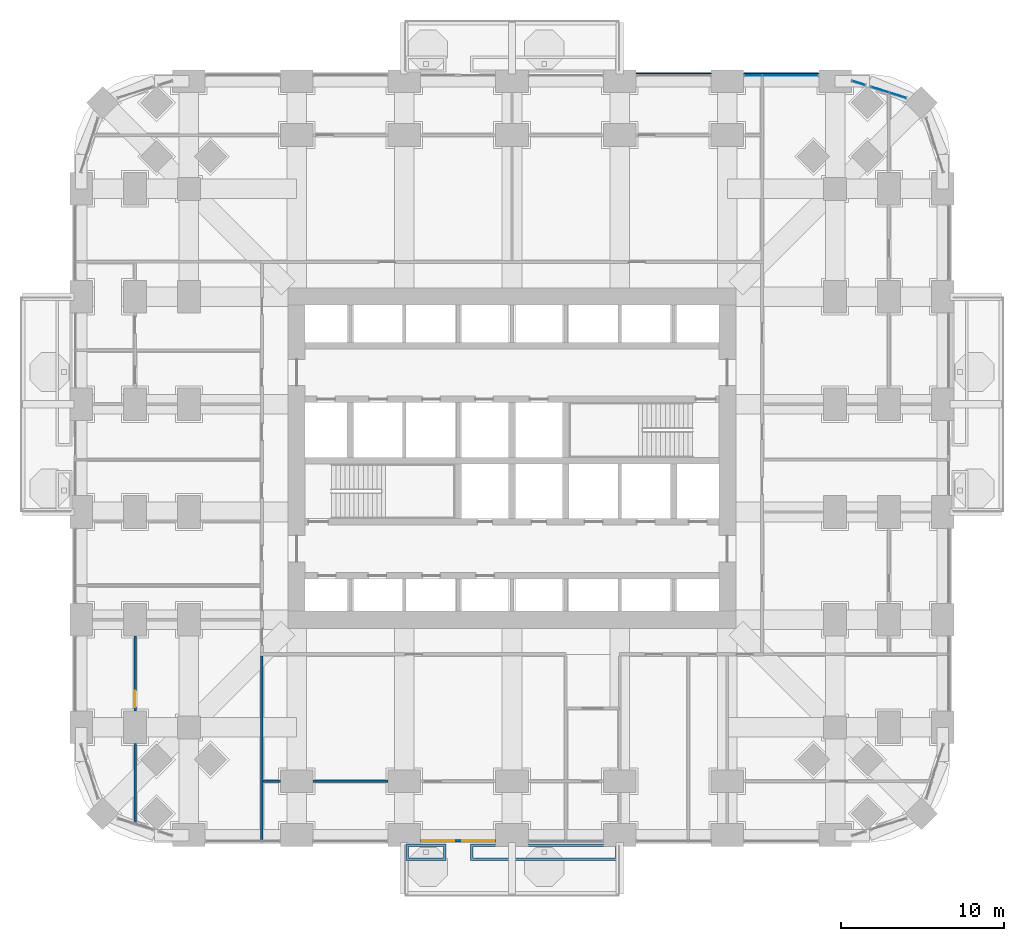
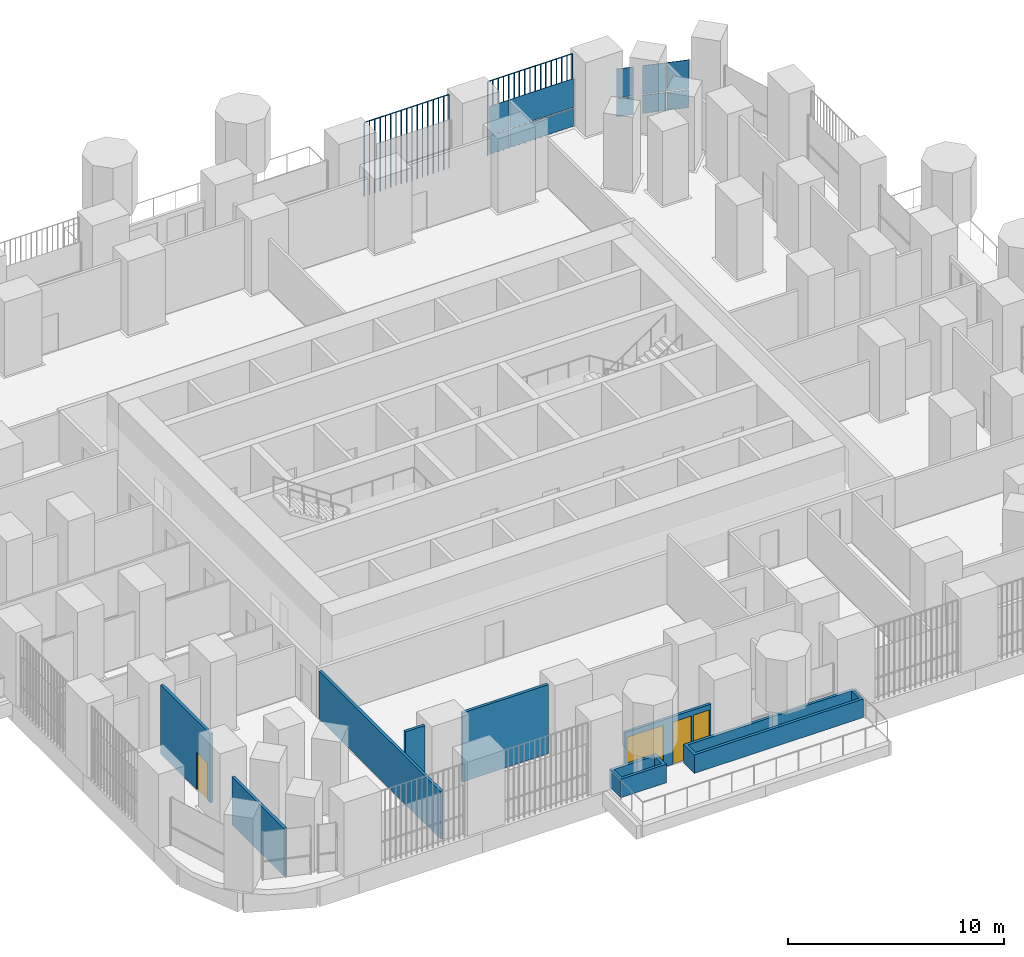
# One storey, part 15 of 24: 12 plates, 8 walls, 2 doors, 2 windows, 4 openings, 3 elements without a shape of their own.
"""IFC4 building model written with IfcOpenShell, lengths in metres."""

import ifcopenshell
import ifcopenshell.guid

model = None  # the IFC model being written
_history = None  # IfcOwnerHistory: only IFC2X3 demands one
_inside = {}  # id of a spatial element -> (the spatial element, [elements in it])
_under = {}  # id of a project, library or spatial element -> (it, [spatial elements below it])
_declared = {}  # id of a project -> (the project, [libraries it declares])
_typed = {}  # id of a type object -> (the type object, [elements of that type])
_made_of = {}  # id of a material, layer set ... -> (it, [elements and type objects made of it])


def new_model(schema):
    """Start an empty IFC model of exactly this schema.

    Asked for "IFC4X3", IfcOpenShell would pick the latest addendum, in which some entities
    have other attributes; the version numbers below select the first issue.
    IFC2X3 requires an IfcOwnerHistory on every rooted entity: one is made here for all.
    """
    global model, _history
    if schema == "IFC4X3":
        model = ifcopenshell.file(schema_version=(4, 3, 0, 0))
    else:
        model = ifcopenshell.file(schema=schema)
    _inside.clear()
    _under.clear()
    _declared.clear()
    _typed.clear()
    _made_of.clear()
    _history = None
    if model.schema == "IFC2X3":
        org = make("IfcOrganization", Name="unknown")
        user = make(
            "IfcPersonAndOrganization",
            ThePerson=make("IfcPerson", FamilyName="unknown"),
            TheOrganization=org,
        )
        app = make(
            "IfcApplication",
            ApplicationDeveloper=org,
            Version="unknown",
            ApplicationFullName="unknown",
            ApplicationIdentifier="unknown",
        )
        _history = make(
            "IfcOwnerHistory",
            OwningUser=user,
            OwningApplication=app,
            ChangeAction="ADDED",
            CreationDate=0,
        )
    return model


def make(cls, **values):
    """One entity of the class cls with the attributes given. An attribute that is None is left unset."""
    return model.create_entity(
        cls, **{name: value for name, value in values.items() if value is not None}
    )


def rooted(cls, **values):
    """An entity with a GlobalId (a new one), such as an element, a storey or a relation."""
    return make(cls, GlobalId=ifcopenshell.guid.new(), OwnerHistory=_history, **values)


def si_unit(unit_type, name, prefix=None):
    """IfcSIUnit, for example si_unit("LENGTHUNIT", "METRE", prefix="MILLI")."""
    return make("IfcSIUnit", UnitType=unit_type, Prefix=prefix, Name=name)


def assignment(units):
    """IfcUnitAssignment: the units of a project."""
    return None if units is None else make("IfcUnitAssignment", Units=units)


def point(xyz):
    """IfcCartesianPoint."""
    return None if xyz is None else make("IfcCartesianPoint", Coordinates=xyz)


def direction(xyz):
    """IfcDirection."""
    return None if xyz is None else make("IfcDirection", DirectionRatios=xyz)


def frame(location, z_axis=None, x_axis=None):
    """IfcAxis2Placement3D, a coordinate frame: its origin and axes. An axis left out is left unset."""
    return make(
        "IfcAxis2Placement3D",
        Location=point(location),
        Axis=direction(z_axis),
        RefDirection=direction(x_axis),
    )


def frame_2d(location, x_axis=None):
    """IfcAxis2Placement2D, a coordinate frame in the plane: its origin and x axis."""
    return make(
        "IfcAxis2Placement2D", Location=point(location), RefDirection=direction(x_axis)
    )


def origin():
    """The frame at (0, 0, 0) with its axes left unset."""
    return frame((0.0, 0.0, 0.0))


def origin_2d():
    """The frame at (0, 0) in the plane with its x axis left unset."""
    return frame_2d((0.0, 0.0))


def place(relative_to, where):
    """IfcLocalPlacement: puts the frame where relative to a parent placement (None: the world)."""
    return make(
        "IfcLocalPlacement", PlacementRelTo=relative_to, RelativePlacement=where
    )


def context(
    kind, dimensions, precision=None, world=None, true_north=None, identifier=None
):
    """IfcGeometricRepresentationContext, for example the 3D "Model" context."""
    return make(
        "IfcGeometricRepresentationContext",
        ContextIdentifier=identifier,
        ContextType=kind,
        CoordinateSpaceDimension=dimensions,
        Precision=precision,
        WorldCoordinateSystem=world,
        TrueNorth=true_north,
    )


def subcontext(parent, identifier, kind, view, scale=None):
    """IfcGeometricRepresentationSubContext, for example "Body" below "Model"."""
    return make(
        "IfcGeometricRepresentationSubContext",
        ContextIdentifier=identifier,
        ContextType=kind,
        ParentContext=parent,
        TargetScale=scale,
        TargetView=view,
    )


def project(units=None, contexts=None):
    """IfcProject with its units and contexts."""
    return rooted(
        "IfcProject",
        Name="project",
        RepresentationContexts=contexts,
        UnitsInContext=assignment(units),
    )


def spatial(cls, under=None, at=None, **own):
    """A site, building, storey or space (cls), placed at a placement, below another one or the project."""
    s = rooted(cls, ObjectPlacement=at, **own)
    if under is not None:
        _under.setdefault(under.id(), (under, []))[1].append(s)
    return s


def polyline(points):
    """IfcPolyline through the points."""
    return make("IfcPolyline", Points=[point(p) for p in points])


def profile(cls, at=None, kind="AREA", **sizes):
    """A parametric profile (cls). Its sizes go by their IFC names, for example OverallWidth=200.0."""
    return make(cls, ProfileType=kind, Position=at, **sizes)


def rectangle(**sizes):
    """IfcRectangleProfileDef."""
    return profile("IfcRectangleProfileDef", **sizes)


def outline(outer, holes=None, kind="AREA"):
    """IfcArbitraryClosedProfileDef: a profile drawn as a closed curve; with holes, ...WithVoids."""
    if holes is None:
        return make("IfcArbitraryClosedProfileDef", ProfileType=kind, OuterCurve=outer)
    return make(
        "IfcArbitraryProfileDefWithVoids",
        ProfileType=kind,
        OuterCurve=outer,
        InnerCurves=holes,
    )


def extrude(swept, where, along, depth):
    """IfcExtrudedAreaSolid: the profile swept, set in the frame where, extruded along a direction by depth."""
    return make(
        "IfcExtrudedAreaSolid",
        SweptArea=swept,
        Position=where,
        ExtrudedDirection=direction(along),
        Depth=depth,
    )


def shape(context_of_items, identifier, shape_type, items):
    """IfcShapeRepresentation: the items that make up one representation, for example the "Body"."""
    return make(
        "IfcShapeRepresentation",
        ContextOfItems=context_of_items,
        RepresentationIdentifier=identifier,
        RepresentationType=shape_type,
        Items=items,
    )


def material(Name=None, Category=None):
    """IfcMaterial."""
    return make("IfcMaterial", Name=Name, Category=Category)


def layer(
    of_material, thickness, ventilated=None, Name=None, Category=None, Priority=None
):
    """IfcMaterialLayer: one layer of a wall or slab, of a material (None: an air gap)."""
    return make(
        "IfcMaterialLayer",
        Material=of_material,
        LayerThickness=thickness,
        IsVentilated=ventilated,
        Name=Name,
        Category=Category,
        Priority=Priority,
    )


def layer_set(layers, Name=None):
    """IfcMaterialLayerSet."""
    return make("IfcMaterialLayerSet", MaterialLayers=layers, LayerSetName=Name)


def made_of(thing, what):
    """Note that an element or type object is made of a material, layer set ...; save() writes the relation."""
    if what is not None:
        _made_of.setdefault(what.id(), (what, []))[1].append(thing)
    return thing


def type_object(cls, material=None, **own):
    """A type object (cls), such as IfcWallType, which elements share."""
    return made_of(rooted(cls, **own), material)


def element(
    cls,
    number,
    at=None,
    inside=None,
    cuts=None,
    type_object=None,
    material=None,
    context=None,
    identifier="Body",
    shape_type=None,
    held_by="IfcProductDefinitionShape",
    body=None,
    shapes=None,
    **own,
):
    """One element of the class cls, such as IfcWall. Its Tag is "e" and its number.

    at: its placement. inside: the storey or other place that contains it. cuts: it is an
    opening in that element (IfcRelVoidsElement). A single representation is given by context,
    identifier, shape_type and body (its items); several are given by shapes. held_by: the class
    of the entity that holds the representations. save() writes the other relations.
    """
    e = rooted(cls, Tag="e%d" % number, ObjectPlacement=at, **own)
    if body is not None:
        shapes = [shape(context, identifier, shape_type, body)]
    if shapes is not None:
        e.Representation = make(held_by, Representations=shapes)
    if inside is not None:
        _inside.setdefault(inside.id(), (inside, []))[1].append(e)
    if cuts is not None:
        rooted(
            "IfcRelVoidsElement", RelatingBuildingElement=cuts, RelatedOpeningElement=e
        )
    if type_object is not None:
        _typed.setdefault(type_object.id(), (type_object, []))[1].append(e)
    return made_of(e, material)


def fill(opening, filler):
    """IfcRelFillsElement: the door or window that sits in an opening."""
    return rooted(
        "IfcRelFillsElement",
        RelatingOpeningElement=opening,
        RelatedBuildingElement=filler,
    )


def aggregate(whole, parts):
    """IfcRelAggregates: a whole, such as a stair, and the parts it consists of."""
    return rooted("IfcRelAggregates", RelatingObject=whole, RelatedObjects=parts)


def save(model, path):
    """Write the relations noted so far, then the file.

    IfcRelAggregates (storeys below a building ...), IfcRelContainedInSpatialStructure (elements
    in a storey), IfcRelDefinesByType, IfcRelAssociatesMaterial and IfcRelDeclares: one each for
    every whole, place, type object, material and project.
    """
    for whole, parts in _under.values():
        aggregate(whole, parts)
    for where, things in _inside.values():
        rooted(
            "IfcRelContainedInSpatialStructure",
            RelatedElements=things,
            RelatingStructure=where,
        )
    for kind, things in _typed.values():
        rooted("IfcRelDefinesByType", RelatedObjects=things, RelatingType=kind)
    for what, things in _made_of.values():
        rooted("IfcRelAssociatesMaterial", RelatedObjects=things, RelatingMaterial=what)
    for by, libraries in _declared.values():
        rooted("IfcRelDeclares", RelatingContext=by, RelatedDefinitions=libraries)
    model.write(path)


model = new_model("IFC4")

# Units and contexts
model_context = context("Model", 3, precision=1e-05, world=origin(), true_north=direction((0.0, 1.0)))
body_context = subcontext(model_context, "Body", "Model", "MODEL_VIEW")
ifc_project = project(units=[si_unit("LENGTHUNIT", "METRE"), si_unit("AREAUNIT", "SQUARE_METRE"), si_unit("VOLUMEUNIT", "CUBIC_METRE"), si_unit("PLANEANGLEUNIT", "RADIAN"), si_unit("MASSUNIT", "GRAM", prefix="KILO")], contexts=[model_context])

# Site, building, storey
site_placement = place(None, origin())
site = spatial("IfcSite", under=ifc_project, at=site_placement, CompositionType="ELEMENT")
building_placement = place(site_placement, origin())
building = spatial("IfcBuilding", under=site, at=building_placement, Name="Cobogo Forest Laboratory Tower", CompositionType="ELEMENT")
storey_placement = place(building_placement, frame((0.0, 0.0, 17.10009765625)))
storey = spatial("IfcBuildingStorey", under=building, at=storey_placement, Name="L03", CompositionType="ELEMENT", Elevation=17.10009765625)

# Curtain wall, plates
ifc_material_1 = material(Name="Aluminium curtain wall", Category="aluminium")
curtain_wall_type = type_object("IfcCurtainWallType", Name="CW-1 unitised curtain wall, clear glazing, laboratory floors zones A and B", PredefinedType="USERDEFINED", material=ifc_material_1)
curtain_wall_1_placement = place(storey_placement, origin())
curtain_wall_1 = element("IfcCurtainWall", 1, at=curtain_wall_1_placement, inside=storey, type_object=curtain_wall_type, Name="Curtain wall 16 L03", ObjectType="UNITISED CURTAIN WALL", PredefinedType="USERDEFINED")
ifc_material_2 = material(Name="Clear insulated glass", Category="glass")
ifc_layer_1 = layer(ifc_material_2, 0.028076171875)
ifc_layer_set_1 = layer_set([ifc_layer_1], Name="GP-1 clear insulated glass unit 28")
plate_type_1 = type_object("IfcPlateType", Name="GP-1 clear insulated glass unit 28", PredefinedType="CURTAIN_PANEL", material=ifc_layer_set_1)
plate_1_placement = place(storey_placement, frame((50.042724609375, 45.33642578125, 0.0), z_axis=(0.0, 0.0, 1.0), x_axis=(-0.953581409645, 0.301135343623, 0.0)))
plate_1 = element("IfcPlate", 2, at=plate_1_placement, type_object=plate_type_1, Name="CW-1 panel 1.1", PredefinedType="CURTAIN_PANEL", context=body_context, shape_type="SweptSolid", body=[
    extrude(rectangle(XDim=1.027587890625, YDim=0.028076171875, at=origin_2d()), origin(), (0.0, 0.0, 1.0), 1.02001953125),
])
plate_2_placement = place(storey_placement, frame((50.042724609375, 45.33642578125, 1.079833984375), z_axis=(0.0, 0.0, 1.0), x_axis=(-0.953581409645, 0.301135343623, 0.0)))
plate_2 = element("IfcPlate", 3, at=plate_2_placement, type_object=plate_type_1, Name="CW-1 panel 1.2", PredefinedType="CURTAIN_PANEL", context=body_context, shape_type="SweptSolid", body=[
    extrude(rectangle(XDim=1.027587890625, YDim=0.028076171875, at=origin_2d()), origin(), (0.0, 0.0, 1.0), 1.6201171875),
])
plate_3_placement = place(storey_placement, frame((48.963623046875, 45.67724609375, 0.0), z_axis=(0.0, 0.0, 1.0), x_axis=(-0.953581409645, 0.301135343623, 0.0)))
plate_3 = element("IfcPlate", 4, at=plate_3_placement, type_object=plate_type_1, Name="CW-1 panel 2.1", PredefinedType="CURTAIN_PANEL", context=body_context, shape_type="SweptSolid", body=[
    extrude(rectangle(XDim=1.11572265625, YDim=0.028076171875, at=origin_2d()), origin(), (0.0, 0.0, 1.0), 1.02001953125),
])
plate_4_placement = place(storey_placement, frame((48.963623046875, 45.67724609375, 1.079833984375), z_axis=(0.0, 0.0, 1.0), x_axis=(-0.953581409645, 0.301135343623, 0.0)))
plate_4 = element("IfcPlate", 5, at=plate_4_placement, type_object=plate_type_1, Name="CW-1 panel 2.2", PredefinedType="CURTAIN_PANEL", context=body_context, shape_type="SweptSolid", body=[
    extrude(rectangle(XDim=1.11572265625, YDim=0.028076171875, at=origin_2d()), origin(), (0.0, 0.0, 1.0), 1.6201171875),
])
aggregate(curtain_wall_1, [plate_1, plate_2, plate_3, plate_4])

curtain_wall_2_placement = place(storey_placement, origin())
curtain_wall_2 = element("IfcCurtainWall", 6, at=curtain_wall_2_placement, inside=storey, type_object=curtain_wall_type, Name="Curtain wall 17 L03", ObjectType="UNITISED CURTAIN WALL", PredefinedType="USERDEFINED")
plate_5_placement = place(storey_placement, frame((47.640869140625, 46.094970703125, 0.0), z_axis=(0.0, 0.0, 1.0), x_axis=(-0.953581406818, 0.301135352577, 0.0)))
plate_5 = element("IfcPlate", 7, at=plate_5_placement, type_object=plate_type_1, Name="CW-1 panel 1.1", PredefinedType="CURTAIN_PANEL", context=body_context, shape_type="SweptSolid", body=[
    extrude(rectangle(XDim=0.804931640625, YDim=0.028076171875, at=origin_2d()), origin(), (0.0, 0.0, 1.0), 1.02001953125),
])
plate_6_placement = place(storey_placement, frame((47.640869140625, 46.094970703125, 1.079833984375), z_axis=(0.0, 0.0, 1.0), x_axis=(-0.953581406818, 0.301135352577, 0.0)))
plate_6 = element("IfcPlate", 8, at=plate_6_placement, type_object=plate_type_1, Name="CW-1 panel 1.2", PredefinedType="CURTAIN_PANEL", context=body_context, shape_type="SweptSolid", body=[
    extrude(rectangle(XDim=0.804931640625, YDim=0.028076171875, at=origin_2d()), origin(), (0.0, 0.0, 1.0), 1.6201171875),
])
aggregate(curtain_wall_2, [plate_5, plate_6])

curtain_wall_3_placement = place(storey_placement, origin())
curtain_wall_3 = element("IfcCurtainWall", 9, at=curtain_wall_3_placement, inside=storey, type_object=curtain_wall_type, Name="Curtain wall 18 L03", ObjectType="UNITISED CURTAIN WALL", PredefinedType="USERDEFINED")
plate_7_placement = place(storey_placement, frame((43.447509765625, 46.550048828125, 0.0), z_axis=(0.0, 0.0, 1.0), x_axis=(-1.0, 0.0, 0.0)))
plate_7 = element("IfcPlate", 10, at=plate_7_placement, type_object=plate_type_1, Name="CW-1 panel 1.1", PredefinedType="CURTAIN_PANEL", context=body_context, shape_type="SweptSolid", body=[
    extrude(rectangle(XDim=3.385009765625, YDim=0.028076171875, at=origin_2d()), origin(), (0.0, 0.0, 1.0), 1.02001953125),
])
plate_8_placement = place(storey_placement, frame((43.447509765625, 46.550048828125, 1.079833984375), z_axis=(0.0, 0.0, 1.0), x_axis=(-1.0, 0.0, 0.0)))
plate_8 = element("IfcPlate", 11, at=plate_8_placement, type_object=plate_type_1, Name="CW-1 panel 1.2", PredefinedType="CURTAIN_PANEL", context=body_context, shape_type="SweptSolid", body=[
    extrude(rectangle(XDim=3.385009765625, YDim=0.028076171875, at=origin_2d()), origin(), (0.0, 0.0, 1.0), 1.6201171875),
])
plate_9_placement = place(storey_placement, frame((41.177490234375, 46.550048828125, 0.0), z_axis=(0.0, 0.0, 1.0), x_axis=(-1.0, 0.0, 0.0)))
plate_9 = element("IfcPlate", 12, at=plate_9_placement, type_object=plate_type_1, Name="CW-1 panel 2.1", PredefinedType="CURTAIN_PANEL", context=body_context, shape_type="SweptSolid", body=[
    extrude(rectangle(XDim=1.034912109375, YDim=0.028076171875, at=origin_2d()), origin(), (0.0, 0.0, 1.0), 1.02001953125),
])
plate_10_placement = place(storey_placement, frame((41.177490234375, 46.550048828125, 1.079833984375), z_axis=(0.0, 0.0, 1.0), x_axis=(-1.0, 0.0, 0.0)))
plate_10 = element("IfcPlate", 13, at=plate_10_placement, type_object=plate_type_1, Name="CW-1 panel 2.2", PredefinedType="CURTAIN_PANEL", context=body_context, shape_type="SweptSolid", body=[
    extrude(rectangle(XDim=1.034912109375, YDim=0.028076171875, at=origin_2d()), origin(), (0.0, 0.0, 1.0), 1.6201171875),
])
aggregate(curtain_wall_3, [plate_7, plate_8, plate_9, plate_10])

# Plates
ifc_material_3 = material(Name="Terracotta", Category="masonry")
plate_type_2 = type_object("IfcPlateType", Name="TB1 terracotta baguette screen", PredefinedType="USERDEFINED", material=ifc_material_3)
plate_11_placement = place(storey_placement, frame((34.03125, 46.677978515625, -0.150146484375)))
element("IfcPlate", 14, at=plate_11_placement, inside=storey, type_object=plate_type_2, Name="Baguette screen N5 L03", ObjectType="BAGUETTE SCREEN", PredefinedType="USERDEFINED", context=body_context, shape_type="SweptSolid", body=[
    extrude(outline(polyline([(0.02880859375, 0.011962890625), (0.011962890625, 0.02880859375), (-0.011962890625, 0.02880859375), (-0.02880859375, 0.011962890625), (-0.02880859375, -0.011962890625), (-0.011962890625, -0.02880859375), (0.011962890625, -0.02880859375), (0.02880859375, -0.011962890625), (0.02880859375, 0.011962890625)])), frame((0.0, 0.0, 4.168701171875), z_axis=(1.0, 0.0, 0.0), x_axis=(0.0, 1.0, 0.0)), (0.0, 0.0, 1.0), 4.53759765625),
    extrude(outline(polyline([(0.02880859375, 0.011962890625), (0.011962890625, 0.02880859375), (-0.011962890625, 0.02880859375), (-0.02880859375, 0.011962890625), (-0.02880859375, -0.011962890625), (-0.011962890625, -0.02880859375), (0.011962890625, -0.02880859375), (0.02880859375, -0.011962890625), (0.02880859375, 0.011962890625)])), origin(), (0.0, 0.0, 1.0), 4.137451171875),
    extrude(outline(polyline([(0.02880859375, 0.011962890625), (0.011962890625, 0.02880859375), (-0.011962890625, 0.02880859375), (-0.02880859375, 0.011962890625), (-0.02880859375, -0.011962890625), (-0.011962890625, -0.02880859375), (0.011962890625, -0.02880859375), (0.02880859375, -0.011962890625), (0.02880859375, 0.011962890625)])), frame((0.28369140625, 0.0, 0.0)), (0.0, 0.0, 1.0), 4.137451171875),
    extrude(outline(polyline([(0.02880859375, 0.011962890625), (0.011962890625, 0.02880859375), (-0.011962890625, 0.02880859375), (-0.02880859375, 0.011962890625), (-0.02880859375, -0.011962890625), (-0.011962890625, -0.02880859375), (0.011962890625, -0.02880859375), (0.02880859375, -0.011962890625), (0.02880859375, 0.011962890625)])), frame((0.567138671875, 0.0, 0.0)), (0.0, 0.0, 1.0), 4.137451171875),
    extrude(outline(polyline([(0.02880859375, 0.011962890625), (0.011962890625, 0.02880859375), (-0.011962890625, 0.02880859375), (-0.02880859375, 0.011962890625), (-0.02880859375, -0.011962890625), (-0.011962890625, -0.02880859375), (0.011962890625, -0.02880859375), (0.02880859375, -0.011962890625), (0.02880859375, 0.011962890625)])), frame((0.850830078125, 0.0, 0.0)), (0.0, 0.0, 1.0), 4.137451171875),
    extrude(outline(polyline([(0.02880859375, 0.011962890625), (0.011962890625, 0.02880859375), (-0.011962890625, 0.02880859375), (-0.02880859375, 0.011962890625), (-0.02880859375, -0.011962890625), (-0.011962890625, -0.02880859375), (0.011962890625, -0.02880859375), (0.02880859375, -0.011962890625), (0.02880859375, 0.011962890625)])), frame((1.13427734375, 0.0, 0.0)), (0.0, 0.0, 1.0), 4.137451171875),
    extrude(outline(polyline([(0.02880859375, 0.011962890625), (0.011962890625, 0.02880859375), (-0.011962890625, 0.02880859375), (-0.02880859375, 0.011962890625), (-0.02880859375, -0.011962890625), (-0.011962890625, -0.02880859375), (0.011962890625, -0.02880859375), (0.02880859375, -0.011962890625), (0.02880859375, 0.011962890625)])), frame((1.41796875, 0.0, 0.0)), (0.0, 0.0, 1.0), 4.137451171875),
    extrude(outline(polyline([(0.02880859375, 0.011962890625), (0.011962890625, 0.02880859375), (-0.011962890625, 0.02880859375), (-0.02880859375, 0.011962890625), (-0.02880859375, -0.011962890625), (-0.011962890625, -0.02880859375), (0.011962890625, -0.02880859375), (0.02880859375, -0.011962890625), (0.02880859375, 0.011962890625)])), frame((1.70166015625, 0.0, 0.0)), (0.0, 0.0, 1.0), 4.137451171875),
    extrude(outline(polyline([(0.02880859375, 0.011962890625), (0.011962890625, 0.02880859375), (-0.011962890625, 0.02880859375), (-0.02880859375, 0.011962890625), (-0.02880859375, -0.011962890625), (-0.011962890625, -0.02880859375), (0.011962890625, -0.02880859375), (0.02880859375, -0.011962890625), (0.02880859375, 0.011962890625)])), frame((1.985107421875, 0.0, 0.0)), (0.0, 0.0, 1.0), 4.137451171875),
    extrude(outline(polyline([(0.02880859375, 0.011962890625), (0.011962890625, 0.02880859375), (-0.011962890625, 0.02880859375), (-0.02880859375, 0.011962890625), (-0.02880859375, -0.011962890625), (-0.011962890625, -0.02880859375), (0.011962890625, -0.02880859375), (0.02880859375, -0.011962890625), (0.02880859375, 0.011962890625)])), frame((2.268798828125, 0.0, 0.0)), (0.0, 0.0, 1.0), 4.137451171875),
    extrude(outline(polyline([(0.02880859375, 0.011962890625), (0.011962890625, 0.02880859375), (-0.011962890625, 0.02880859375), (-0.02880859375, 0.011962890625), (-0.02880859375, -0.011962890625), (-0.011962890625, -0.02880859375), (0.011962890625, -0.02880859375), (0.02880859375, -0.011962890625), (0.02880859375, 0.011962890625)])), frame((2.552490234375, 0.0, 0.0)), (0.0, 0.0, 1.0), 4.137451171875),
    extrude(outline(polyline([(0.02880859375, 0.011962890625), (0.011962890625, 0.02880859375), (-0.011962890625, 0.02880859375), (-0.02880859375, 0.011962890625), (-0.02880859375, -0.011962890625), (-0.011962890625, -0.02880859375), (0.011962890625, -0.02880859375), (0.02880859375, -0.011962890625), (0.02880859375, 0.011962890625)])), frame((2.8359375, 0.0, 0.0)), (0.0, 0.0, 1.0), 4.137451171875),
    extrude(outline(polyline([(0.02880859375, 0.011962890625), (0.011962890625, 0.02880859375), (-0.011962890625, 0.02880859375), (-0.02880859375, 0.011962890625), (-0.02880859375, -0.011962890625), (-0.011962890625, -0.02880859375), (0.011962890625, -0.02880859375), (0.02880859375, -0.011962890625), (0.02880859375, 0.011962890625)])), frame((3.11962890625, 0.0, 0.0)), (0.0, 0.0, 1.0), 4.137451171875),
    extrude(outline(polyline([(0.02880859375, 0.011962890625), (0.011962890625, 0.02880859375), (-0.011962890625, 0.02880859375), (-0.02880859375, 0.011962890625), (-0.02880859375, -0.011962890625), (-0.011962890625, -0.02880859375), (0.011962890625, -0.02880859375), (0.02880859375, -0.011962890625), (0.02880859375, 0.011962890625)])), frame((3.4033203125, 0.0, 0.0)), (0.0, 0.0, 1.0), 4.137451171875),
    extrude(outline(polyline([(0.02880859375, 0.011962890625), (0.011962890625, 0.02880859375), (-0.011962890625, 0.02880859375), (-0.02880859375, 0.011962890625), (-0.02880859375, -0.011962890625), (-0.011962890625, -0.02880859375), (0.011962890625, -0.02880859375), (0.02880859375, -0.011962890625), (0.02880859375, 0.011962890625)])), frame((3.686767578125, 0.0, 0.0)), (0.0, 0.0, 1.0), 4.137451171875),
    extrude(outline(polyline([(0.02880859375, 0.011962890625), (0.011962890625, 0.02880859375), (-0.011962890625, 0.02880859375), (-0.02880859375, 0.011962890625), (-0.02880859375, -0.011962890625), (-0.011962890625, -0.02880859375), (0.011962890625, -0.02880859375), (0.02880859375, -0.011962890625), (0.02880859375, 0.011962890625)])), frame((3.970458984375, 0.0, 0.0)), (0.0, 0.0, 1.0), 4.137451171875),
    extrude(outline(polyline([(0.02880859375, 0.011962890625), (0.011962890625, 0.02880859375), (-0.011962890625, 0.02880859375), (-0.02880859375, 0.011962890625), (-0.02880859375, -0.011962890625), (-0.011962890625, -0.02880859375), (0.011962890625, -0.02880859375), (0.02880859375, -0.011962890625), (0.02880859375, 0.011962890625)])), frame((4.25390625, 0.0, 0.0)), (0.0, 0.0, 1.0), 4.137451171875),
    extrude(outline(polyline([(0.02880859375, 0.011962890625), (0.011962890625, 0.02880859375), (-0.011962890625, 0.02880859375), (-0.02880859375, 0.011962890625), (-0.02880859375, -0.011962890625), (-0.011962890625, -0.02880859375), (0.011962890625, -0.02880859375), (0.02880859375, -0.011962890625), (0.02880859375, 0.011962890625)])), frame((4.53759765625, 0.0, 0.0)), (0.0, 0.0, 1.0), 4.137451171875),
])
plate_12_placement = place(storey_placement, frame((40.63134765625, 46.677978515625, -0.150146484375)))
element("IfcPlate", 15, at=plate_12_placement, inside=storey, type_object=plate_type_2, Name="Baguette screen N6 L03", ObjectType="BAGUETTE SCREEN", PredefinedType="USERDEFINED", context=body_context, shape_type="SweptSolid", body=[
    extrude(outline(polyline([(0.02880859375, 0.011962890625), (0.011962890625, 0.02880859375), (-0.011962890625, 0.02880859375), (-0.02880859375, 0.011962890625), (-0.02880859375, -0.011962890625), (-0.011962890625, -0.02880859375), (0.011962890625, -0.02880859375), (0.02880859375, -0.011962890625), (0.02880859375, 0.011962890625)])), frame((0.0, 0.0, 4.168701171875), z_axis=(1.0, 0.0, 0.0), x_axis=(0.0, 1.0, 0.0)), (0.0, 0.0, 1.0), 4.537353515625),
    extrude(outline(polyline([(0.02880859375, 0.011962890625), (0.011962890625, 0.02880859375), (-0.011962890625, 0.02880859375), (-0.02880859375, 0.011962890625), (-0.02880859375, -0.011962890625), (-0.011962890625, -0.02880859375), (0.011962890625, -0.02880859375), (0.02880859375, -0.011962890625), (0.02880859375, 0.011962890625)])), origin(), (0.0, 0.0, 1.0), 4.137451171875),
    extrude(outline(polyline([(0.02880859375, 0.011962890625), (0.011962890625, 0.02880859375), (-0.011962890625, 0.02880859375), (-0.02880859375, 0.011962890625), (-0.02880859375, -0.011962890625), (-0.011962890625, -0.02880859375), (0.011962890625, -0.02880859375), (0.02880859375, -0.011962890625), (0.02880859375, 0.011962890625)])), frame((0.28369140625, 0.0, 0.0)), (0.0, 0.0, 1.0), 4.137451171875),
    extrude(outline(polyline([(0.02880859375, 0.011962890625), (0.011962890625, 0.02880859375), (-0.011962890625, 0.02880859375), (-0.02880859375, 0.011962890625), (-0.02880859375, -0.011962890625), (-0.011962890625, -0.02880859375), (0.011962890625, -0.02880859375), (0.02880859375, -0.011962890625), (0.02880859375, 0.011962890625)])), frame((0.567138671875, 0.0, 0.0)), (0.0, 0.0, 1.0), 4.137451171875),
    extrude(outline(polyline([(0.02880859375, 0.011962890625), (0.011962890625, 0.02880859375), (-0.011962890625, 0.02880859375), (-0.02880859375, 0.011962890625), (-0.02880859375, -0.011962890625), (-0.011962890625, -0.02880859375), (0.011962890625, -0.02880859375), (0.02880859375, -0.011962890625), (0.02880859375, 0.011962890625)])), frame((0.850830078125, 0.0, 0.0)), (0.0, 0.0, 1.0), 4.137451171875),
    extrude(outline(polyline([(0.02880859375, 0.011962890625), (0.011962890625, 0.02880859375), (-0.011962890625, 0.02880859375), (-0.02880859375, 0.011962890625), (-0.02880859375, -0.011962890625), (-0.011962890625, -0.02880859375), (0.011962890625, -0.02880859375), (0.02880859375, -0.011962890625), (0.02880859375, 0.011962890625)])), frame((1.13427734375, 0.0, 0.0)), (0.0, 0.0, 1.0), 4.137451171875),
    extrude(outline(polyline([(0.02880859375, 0.011962890625), (0.011962890625, 0.02880859375), (-0.011962890625, 0.02880859375), (-0.02880859375, 0.011962890625), (-0.02880859375, -0.011962890625), (-0.011962890625, -0.02880859375), (0.011962890625, -0.02880859375), (0.02880859375, -0.011962890625), (0.02880859375, 0.011962890625)])), frame((1.41796875, 0.0, 0.0)), (0.0, 0.0, 1.0), 4.137451171875),
    extrude(outline(polyline([(0.02880859375, 0.011962890625), (0.011962890625, 0.02880859375), (-0.011962890625, 0.02880859375), (-0.02880859375, 0.011962890625), (-0.02880859375, -0.011962890625), (-0.011962890625, -0.02880859375), (0.011962890625, -0.02880859375), (0.02880859375, -0.011962890625), (0.02880859375, 0.011962890625)])), frame((1.701416015625, 0.0, 0.0)), (0.0, 0.0, 1.0), 4.137451171875),
    extrude(outline(polyline([(0.02880859375, 0.011962890625), (0.011962890625, 0.02880859375), (-0.011962890625, 0.02880859375), (-0.02880859375, 0.011962890625), (-0.02880859375, -0.011962890625), (-0.011962890625, -0.02880859375), (0.011962890625, -0.02880859375), (0.02880859375, -0.011962890625), (0.02880859375, 0.011962890625)])), frame((1.985107421875, 0.0, 0.0)), (0.0, 0.0, 1.0), 4.137451171875),
    extrude(outline(polyline([(0.02880859375, 0.011962890625), (0.011962890625, 0.02880859375), (-0.011962890625, 0.02880859375), (-0.02880859375, 0.011962890625), (-0.02880859375, -0.011962890625), (-0.011962890625, -0.02880859375), (0.011962890625, -0.02880859375), (0.02880859375, -0.011962890625), (0.02880859375, 0.011962890625)])), frame((2.2685546875, 0.0, 0.0)), (0.0, 0.0, 1.0), 4.137451171875),
    extrude(outline(polyline([(0.02880859375, 0.011962890625), (0.011962890625, 0.02880859375), (-0.011962890625, 0.02880859375), (-0.02880859375, 0.011962890625), (-0.02880859375, -0.011962890625), (-0.011962890625, -0.02880859375), (0.011962890625, -0.02880859375), (0.02880859375, -0.011962890625), (0.02880859375, 0.011962890625)])), frame((2.55224609375, 0.0, 0.0)), (0.0, 0.0, 1.0), 4.137451171875),
    extrude(outline(polyline([(0.02880859375, 0.011962890625), (0.011962890625, 0.02880859375), (-0.011962890625, 0.02880859375), (-0.02880859375, 0.011962890625), (-0.02880859375, -0.011962890625), (-0.011962890625, -0.02880859375), (0.011962890625, -0.02880859375), (0.02880859375, -0.011962890625), (0.02880859375, 0.011962890625)])), frame((2.8359375, 0.0, 0.0)), (0.0, 0.0, 1.0), 4.137451171875),
    extrude(outline(polyline([(0.02880859375, 0.011962890625), (0.011962890625, 0.02880859375), (-0.011962890625, 0.02880859375), (-0.02880859375, 0.011962890625), (-0.02880859375, -0.011962890625), (-0.011962890625, -0.02880859375), (0.011962890625, -0.02880859375), (0.02880859375, -0.011962890625), (0.02880859375, 0.011962890625)])), frame((3.119384765625, 0.0, 0.0)), (0.0, 0.0, 1.0), 4.137451171875),
    extrude(outline(polyline([(0.02880859375, 0.011962890625), (0.011962890625, 0.02880859375), (-0.011962890625, 0.02880859375), (-0.02880859375, 0.011962890625), (-0.02880859375, -0.011962890625), (-0.011962890625, -0.02880859375), (0.011962890625, -0.02880859375), (0.02880859375, -0.011962890625), (0.02880859375, 0.011962890625)])), frame((3.403076171875, 0.0, 0.0)), (0.0, 0.0, 1.0), 4.137451171875),
    extrude(outline(polyline([(0.02880859375, 0.011962890625), (0.011962890625, 0.02880859375), (-0.011962890625, 0.02880859375), (-0.02880859375, 0.011962890625), (-0.02880859375, -0.011962890625), (-0.011962890625, -0.02880859375), (0.011962890625, -0.02880859375), (0.02880859375, -0.011962890625), (0.02880859375, 0.011962890625)])), frame((3.6865234375, 0.0, 0.0)), (0.0, 0.0, 1.0), 4.137451171875),
    extrude(outline(polyline([(0.02880859375, 0.011962890625), (0.011962890625, 0.02880859375), (-0.011962890625, 0.02880859375), (-0.02880859375, 0.011962890625), (-0.02880859375, -0.011962890625), (-0.011962890625, -0.02880859375), (0.011962890625, -0.02880859375), (0.02880859375, -0.011962890625), (0.02880859375, 0.011962890625)])), frame((3.97021484375, 0.0, 0.0)), (0.0, 0.0, 1.0), 4.137451171875),
    extrude(outline(polyline([(0.02880859375, 0.011962890625), (0.011962890625, 0.02880859375), (-0.011962890625, 0.02880859375), (-0.02880859375, 0.011962890625), (-0.02880859375, -0.011962890625), (-0.011962890625, -0.02880859375), (0.011962890625, -0.02880859375), (0.02880859375, -0.011962890625), (0.02880859375, 0.011962890625)])), frame((4.253662109375, 0.0, 0.0)), (0.0, 0.0, 1.0), 4.137451171875),
    extrude(outline(polyline([(0.02880859375, 0.011962890625), (0.011962890625, 0.02880859375), (-0.011962890625, 0.02880859375), (-0.02880859375, 0.011962890625), (-0.02880859375, -0.011962890625), (-0.011962890625, -0.02880859375), (0.011962890625, -0.02880859375), (0.02880859375, -0.011962890625), (0.02880859375, 0.011962890625)])), frame((4.537353515625, 0.0, 0.0)), (0.0, 0.0, 1.0), 4.137451171875),
])

# Wall, openings, door, windows
ifc_material_4 = material(Name="Aluminium framed glazed screen", Category="aluminium")
ifc_layer_2 = layer(ifc_material_4, 0.14990234375)
ifc_layer_set_2 = layer_set([ifc_layer_2], Name="GS1 glazed door screen 150")
wall_type_1 = type_object("IfcWallType", Name="GS1 glazed door screen 150", PredefinedType="SOLIDWALL", material=ifc_layer_set_2)
wall_1_placement = place(storey_placement, frame((20.800048828125, -0.35009765625, 0.0), z_axis=(0.0, 0.0, 1.0), x_axis=(1.0, 0.0, 0.0)))
wall_1 = element("IfcWall", 16, at=wall_1_placement, inside=storey, type_object=wall_type_1, Name="Door screen BAL-S1 L03", PredefinedType="SOLIDWALL", context=body_context, shape_type="SweptSolid", body=[
    extrude(rectangle(XDim=4.599853515625, YDim=0.14990234375, at=frame_2d((2.2998046875, 0.0))), origin(), (0.0, 0.0, 1.0), 2.699951171875),
])
opening_1_placement = place(wall_1_placement, frame((2.550048828125, 0.0, 0.0)))
opening_1 = element("IfcOpeningElement", 17, at=opening_1_placement, cuts=wall_1, Name="Opening L03-D01", PredefinedType="OPENING", context=body_context, shape_type="SweptSolid", body=[
    extrude(rectangle(XDim=1.0, YDim=2.39990234375, at=frame_2d((0.5, 1.199951171875))), frame((0.0, 0.0849609375, 0.0), z_axis=(0.0, -1.0, 0.0), x_axis=(1.0, 0.0, 0.0)), (0.0, 0.0, 1.0), 0.169921875),
])
opening_2_placement = place(wall_1_placement, frame((0.10009765625, 0.0, 0.10009765625)))
opening_2 = element("IfcOpeningElement", 18, at=opening_2_placement, cuts=wall_1, Name="Opening L03-W01", PredefinedType="OPENING", context=body_context, shape_type="SweptSolid", body=[
    extrude(rectangle(XDim=1.949951171875, YDim=2.300048828125, at=frame_2d((0.97509765625, 1.14990234375))), frame((0.0, 0.0849609375, 0.0), z_axis=(0.0, -1.0, 0.0), x_axis=(1.0, 0.0, 0.0)), (0.0, 0.0, 1.0), 0.169921875),
])
opening_3_placement = place(wall_1_placement, frame((3.64990234375, 0.0, 0.10009765625)))
opening_3 = element("IfcOpeningElement", 19, at=opening_3_placement, cuts=wall_1, Name="Opening L03-W02", PredefinedType="OPENING", context=body_context, shape_type="SweptSolid", body=[
    extrude(rectangle(XDim=0.85009765625, YDim=2.300048828125, at=frame_2d((0.425048828125, 1.14990234375))), frame((0.0, 0.0849609375, 0.0), z_axis=(0.0, -1.0, 0.0), x_axis=(1.0, 0.0, 0.0)), (0.0, 0.0, 1.0), 0.169921875),
])
ifc_material_5 = material(Name="Aluminium glazed door", Category="aluminium")
door_type_1 = type_object("IfcDoorType", Name="DB1 balcony door 1000 glazed", OperationType="SINGLE_SWING_LEFT", PredefinedType="DOOR", material=ifc_material_5)
door_1_placement = place(opening_1_placement, origin())
door_1 = element("IfcDoor", 20, at=door_1_placement, inside=storey, type_object=door_type_1, Name="Door L03-BAL-S1", OperationType="SINGLE_SWING_RIGHT", OverallHeight=2.39990234375, OverallWidth=1.0, PredefinedType="DOOR", context=body_context, shape_type="SweptSolid", body=[
    extrude(rectangle(XDim=1.0, YDim=2.39990234375, at=frame_2d((0.5, 1.199951171875))), frame((0.0, 0.02490234375, 0.0), z_axis=(0.0, -1.0, 0.0), x_axis=(1.0, 0.0, 0.0)), (0.0, 0.0, 1.0), 0.050048828125),
])
fill(opening_1, door_1)
ifc_material_6 = material(Name="Aluminium framed glazing", Category="aluminium")
window_type_1 = type_object("IfcWindowType", Name="WG1 fixed glazed light 1950x2300", PartitioningType="SINGLE_PANEL", PredefinedType="WINDOW", material=ifc_material_6)
window_1_placement = place(opening_2_placement, origin())
window_1 = element("IfcWindow", 21, at=window_1_placement, inside=storey, type_object=window_type_1, Name="Window L03-BAL-S1-1", OverallHeight=2.300048828125, OverallWidth=1.949951171875, PartitioningType="SINGLE_PANEL", PredefinedType="WINDOW", context=body_context, shape_type="SweptSolid", body=[
    extrude(rectangle(XDim=1.949951171875, YDim=2.300048828125, at=frame_2d((0.97509765625, 1.14990234375))), frame((0.0, 0.030029296875, 0.0), z_axis=(0.0, -1.0, 0.0), x_axis=(1.0, 0.0, 0.0)), (0.0, 0.0, 1.0), 0.06005859375),
])
fill(opening_2, window_1)
window_type_2 = type_object("IfcWindowType", Name="WG2 fixed glazed light 850x2300", PartitioningType="SINGLE_PANEL", PredefinedType="WINDOW", material=ifc_material_6)
window_2_placement = place(opening_3_placement, origin())
window_2 = element("IfcWindow", 22, at=window_2_placement, inside=storey, type_object=window_type_2, Name="Window L03-BAL-S1-2", OverallHeight=2.300048828125, OverallWidth=0.85009765625, PartitioningType="SINGLE_PANEL", PredefinedType="WINDOW", context=body_context, shape_type="SweptSolid", body=[
    extrude(rectangle(XDim=0.85009765625, YDim=2.300048828125, at=frame_2d((0.425048828125, 1.14990234375))), frame((0.0, 0.030029296875, 0.0), z_axis=(0.0, -1.0, 0.0), x_axis=(1.0, 0.0, 0.0)), (0.0, 0.0, 1.0), 0.06005859375),
])
fill(opening_3, window_2)

# Walls
ifc_material_7 = material(Name="Gypsum board on steel studs", Category="steel")
ifc_layer_3 = layer(ifc_material_7, 0.14990234375)
ifc_layer_set_3 = layer_set([ifc_layer_3], Name="PT1 laboratory partition 150")
wall_type_2 = type_object("IfcWallType", Name="PT1 laboratory partition 150", PredefinedType="PARTITIONING", material=ifc_layer_set_3)
wall_2_placement = place(storey_placement, frame((11.074951171875, -0.27001953125, 0.0), z_axis=(0.0, 0.0, 1.0), x_axis=(0.0, 1.0, 0.0)))
element("IfcWall", 23, at=wall_2_placement, inside=storey, type_object=wall_type_2, Name="Partition PW-SW L03", PredefinedType="PARTITIONING", context=body_context, shape_type="SweptSolid", body=[
    extrude(rectangle(XDim=11.2451171875, YDim=0.14990234375, at=frame_2d((5.62255859375, 0.0))), origin(), (0.0, 0.0, 1.0), 2.699951171875),
])
wall_3_placement = place(storey_placement, frame((11.14990234375, 3.300048828125, 0.0), z_axis=(0.0, 0.0, 1.0), x_axis=(1.0, 0.0, 0.0)))
element("IfcWall", 24, at=wall_3_placement, inside=storey, type_object=wall_type_2, Name="Partition STRIP-S-1 L03", PredefinedType="PARTITIONING", context=body_context, shape_type="SweptSolid", body=[
    extrude(rectangle(XDim=1.050048828125, YDim=0.14990234375, at=frame_2d((0.52490234375, 0.0))), origin(), (0.0, 0.0, 1.0), 3.89990234375),
])
wall_4_placement = place(storey_placement, frame((14.199951171875, 3.300048828125, 0.0), z_axis=(0.0, 0.0, 1.0), x_axis=(1.0, 0.0, 0.0)))
element("IfcWall", 25, at=wall_4_placement, inside=storey, type_object=wall_type_2, Name="Partition STRIP-S-2 L03", PredefinedType="PARTITIONING", context=body_context, shape_type="SweptSolid", body=[
    extrude(rectangle(XDim=4.60009765625, YDim=0.14990234375, at=frame_2d((2.300048828125, 0.0))), origin(), (0.0, 0.0, 1.0), 3.89990234375),
])

# Wall, opening, door
wall_5_placement = place(storey_placement, frame((3.300048828125, 12.199951171875, 0.0), z_axis=(0.0, 0.0, 1.0), x_axis=(0.0, -1.0, 0.0)))
wall_5 = element("IfcWall", 26, at=wall_5_placement, inside=storey, type_object=wall_type_2, Name="Partition STRIP-W-3 L03", PredefinedType="PARTITIONING", context=body_context, shape_type="SweptSolid", body=[
    extrude(rectangle(XDim=4.599853515625, YDim=0.14990234375, at=frame_2d((2.2998046875, 0.0))), origin(), (0.0, 0.0, 1.0), 3.89990234375),
])
opening_4_placement = place(wall_5_placement, frame((3.35009765625, 0.0, 0.0)))
opening_4 = element("IfcOpeningElement", 27, at=opening_4_placement, cuts=wall_5, Name="Opening L03-D06", PredefinedType="OPENING", context=body_context, shape_type="SweptSolid", body=[
    extrude(rectangle(XDim=1.0, YDim=2.10009765625, at=frame_2d((0.5, 1.050048828125))), frame((0.0, 0.0849609375, 0.0), z_axis=(0.0, -1.0, 0.0), x_axis=(1.0, 0.0, 0.0)), (0.0, 0.0, 1.0), 0.169921875),
])
ifc_material_8 = material(Name="Timber fire door", Category="wood")
door_type_2 = type_object("IfcDoorType", Name="FD2 fire door 1000 EI2 30", OperationType="SINGLE_SWING_LEFT", PredefinedType="DOOR", material=ifc_material_8)
door_2_placement = place(opening_4_placement, origin())
door_2 = element("IfcDoor", 28, at=door_2_placement, inside=storey, type_object=door_type_2, Name="Door L03-W1W", OperationType="SINGLE_SWING_RIGHT", OverallHeight=2.10009765625, OverallWidth=1.0, PredefinedType="DOOR", context=body_context, shape_type="SweptSolid", body=[
    extrude(rectangle(XDim=1.0, YDim=2.10009765625, at=frame_2d((0.5, 1.050048828125))), frame((0.0, 0.02490234375, 0.0), z_axis=(0.0, -1.0, 0.0), x_axis=(1.0, 0.0, 0.0)), (0.0, 0.0, 1.0), 0.050048828125),
])
fill(opening_4, door_2)

# Walls
wall_6_placement = place(storey_placement, frame((3.300048828125, 5.60009765625, 0.0), z_axis=(0.0, 0.0, 1.0), x_axis=(0.0, -1.0, 0.0)))
element("IfcWall", 29, at=wall_6_placement, inside=storey, type_object=wall_type_2, Name="Partition STRIP-W-4 L03", PredefinedType="PARTITIONING", context=body_context, shape_type="SweptSolid", body=[
    extrude(rectangle(XDim=4.823974609375, YDim=0.14990234375, at=frame_2d((2.412109375, 0.0))), origin(), (0.0, 0.0, 1.0), 2.699951171875),
])
ifc_material_9 = material(Name="Concrete HA-40 (C40/50)", Category="concrete")
ifc_layer_4 = layer(ifc_material_9, 0.14990234375)
ifc_layer_set_4 = layer_set([ifc_layer_4], Name="Planter box 1000x1050")
wall_type_3 = type_object("IfcWallType", Name="Planter box 1000x1050", PredefinedType="USERDEFINED", material=ifc_layer_set_4)
wall_7_placement = place(storey_placement, origin())
element("IfcWall", 30, at=wall_7_placement, inside=storey, type_object=wall_type_3, Name="Planter BAL-S1-1 L03", ObjectType="PLANTER", PredefinedType="USERDEFINED", context=body_context, shape_type="SweptSolid", body=[
    extrude(outline(polyline([(19.89990234375, -1.550048828125), (22.35009765625, -1.550048828125), (22.35009765625, -0.550048828125), (19.89990234375, -0.550048828125), (19.89990234375, -1.550048828125)]), holes=[polyline([(20.050048828125, -1.39990234375), (22.199951171875, -1.39990234375), (22.199951171875, -0.699951171875), (20.050048828125, -0.699951171875), (20.050048828125, -1.39990234375)])]), origin(), (0.0, 0.0, 1.0), 1.0498046875),
])
wall_8_placement = place(storey_placement, origin())
element("IfcWall", 31, at=wall_8_placement, inside=storey, type_object=wall_type_3, Name="Planter BAL-S1-2 L03", ObjectType="PLANTER", PredefinedType="USERDEFINED", context=body_context, shape_type="SweptSolid", body=[
    extrude(outline(polyline([(23.85009765625, -1.550048828125), (32.89990234375, -1.550048828125), (32.89990234375, -0.550048828125), (23.85009765625, -0.550048828125), (23.85009765625, -1.550048828125)]), holes=[polyline([(24.0, -1.39990234375), (32.75, -1.39990234375), (32.75, -0.699951171875), (24.0, -0.699951171875), (24.0, -1.39990234375)])]), origin(), (0.0, 0.0, 1.0), 1.0498046875),
])

save(model, "model.ifc")
